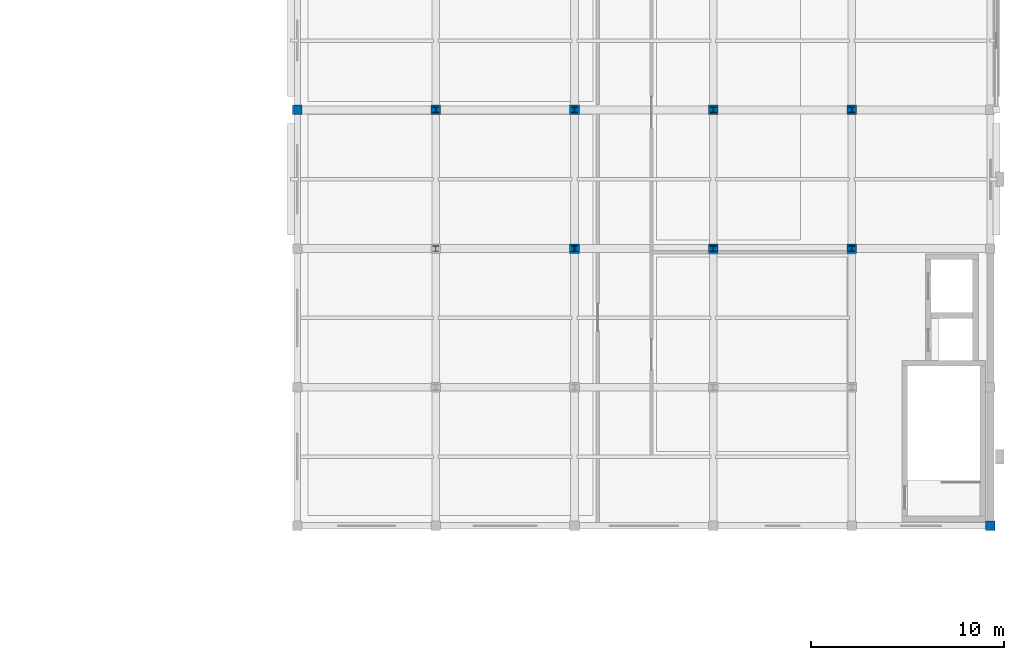
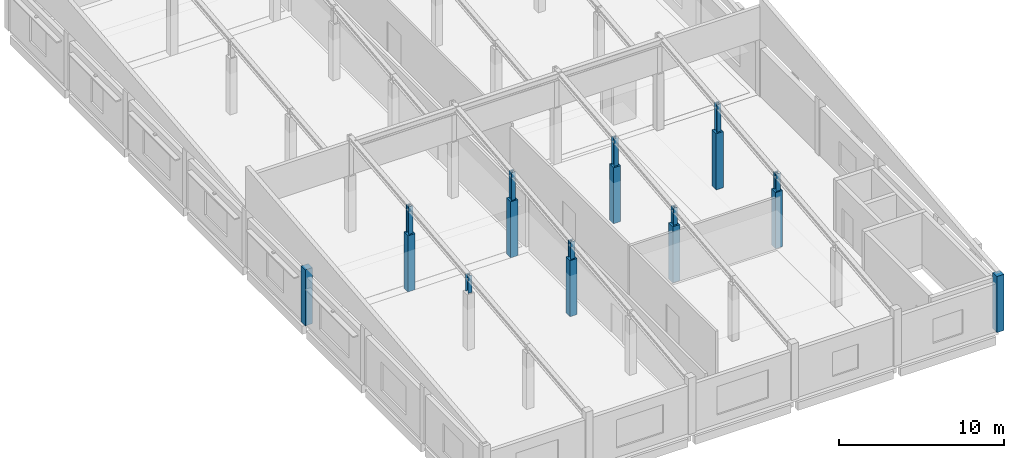
# One storey, part 2 of 33: 17 columns.
"""IFC4 building model written with IfcOpenShell, lengths in metres."""

from ifc_helpers import new_model, si_unit, direction, frame, origin, origin_2d, place, context, subcontext, project, spatial, rectangle, i_section, extrude, material, material_profile, profile_set, type_object, element, save


model = new_model("IFC4")

# Units and contexts
model_context = context("Model", 3, precision=1e-05, world=origin(), true_north=direction((0.0, 1.0)))
body_context = subcontext(model_context, "Body", "Model", "MODEL_VIEW")
ifc_project = project(units=[si_unit("LENGTHUNIT", "METRE"), si_unit("AREAUNIT", "SQUARE_METRE"), si_unit("VOLUMEUNIT", "CUBIC_METRE"), si_unit("PLANEANGLEUNIT", "RADIAN"), si_unit("MASSUNIT", "GRAM", prefix="KILO")], contexts=[model_context])

# Site, building, storey
site_placement = place(None, origin())
site = spatial("IfcSite", under=ifc_project, at=site_placement, CompositionType="ELEMENT")
building_placement = place(site_placement, origin())
building = spatial("IfcBuilding", under=site, at=building_placement, Name="Valkovuoma Quantum and Materials Research Institute", CompositionType="ELEMENT")
storey_placement = place(building_placement, frame((0.0, 0.0, 25.60009765625)))
storey = spatial("IfcBuildingStorey", under=building, at=storey_placement, Name="L06", CompositionType="ELEMENT", Elevation=25.60009765625)

# Columns
ifc_material_1 = material(Name="Concrete C40/50", Category="concrete")
ifc_material_profile_1 = material_profile(ifc_material_1, rectangle(XDim=0.5, YDim=0.5, at=origin_2d()), Name="Concrete C40/50")
ifc_profile_set_1 = profile_set([ifc_material_profile_1], Name="Concrete C40/50")
column_type_1 = type_object("IfcColumnType", Name="Col-C-RC500", PredefinedType="COLUMN", material=ifc_profile_set_1)
for number, where, z_axis, x_axis, name in (
    (1, (129.60009765625, 79.199951171875, 0.0), (0.0, 0.0, 1.0), (1.0, 0.0, 0.0), "L06 column 19M"),
    (2, (136.800048828125, 79.199951171875, 0.0), (0.0, 0.0, 1.0), (1.0, 0.0, 0.0), "L06 column 20M"),
    (3, (144.0, 72.0, 0.0), (0.0, 0.0, 1.0), (1.0, 0.0, 0.0), "L06 column 21L"),
    (4, (144.0, 79.199951171875, 0.0), (0.0, 0.0, 1.0), (1.0, 0.0, 0.0), "L06 column 21M"),
    (5, (151.199951171875, 72.0, 0.0), (0.0, 0.0, 1.0), (1.0, 0.0, 0.0), "L06 column 22L"),
    (6, (151.199951171875, 79.199951171875, 0.0), (0.0, 0.0, 1.0), (1.0, 0.0, 0.0), "L06 column 22M"),
    (7, (158.39990234375, 72.0, 0.0), (0.0, 0.0, 1.0), (1.0, 0.0, 0.0), "L06 column 23L"),
    (8, (158.39990234375, 79.199951171875, 0.0), (0.0, 0.0, 1.0), (1.0, 0.0, 0.0), "L06 column 23M"),
    (9, (165.60009765625, 57.60009765625, 0.0), (0.0, 0.0, 1.0), (1.0, 0.0, 0.0), "L06 column 24J"),
):
    element("IfcColumn", number, at=place(storey_placement, frame(where, z_axis=z_axis, x_axis=x_axis)), inside=storey, type_object=column_type_1, Name=name, PredefinedType="COLUMN", context=body_context, shape_type="SweptSolid", body=[
        extrude(rectangle(XDim=0.5, YDim=0.5, at=origin_2d()), origin(), (0.0, 0.0, 1.0), 4.159912109375),
    ])
ifc_material_2 = material(Name="Steel S355J2", Category="steel")
ifc_material_profile_2 = material_profile(ifc_material_2, i_section(OverallWidth=0.300048828125, OverallDepth=0.300048828125, WebThickness=0.010986328125, FlangeThickness=0.01904296875, FilletRadius=0.027099609375, at=origin_2d()), Name="Steel S355J2")
ifc_profile_set_2 = profile_set([ifc_material_profile_2], Name="Steel S355J2")
column_type_2 = type_object("IfcColumnType", Name="Col-C-STL300", PredefinedType="COLUMN", material=ifc_profile_set_2)
column_1_placement = place(storey_placement, frame((136.800048828125, 72.0, 4.159912109375), z_axis=(0.0, 0.0, 1.0), x_axis=(1.0, 0.0, 0.0)))
element("IfcColumn", 10, at=column_1_placement, inside=storey, type_object=column_type_2, Name="L06 wet-lab roof post 1.136.8.72.0", PredefinedType="COLUMN", context=body_context, shape_type="SweptSolid", body=[
    extrude(i_section(OverallWidth=0.300048828125, OverallDepth=0.300048828125, WebThickness=0.010986328125, FlangeThickness=0.01904296875, FilletRadius=0.027099609375, at=origin_2d()), origin(), (0.0, 0.0, 1.0), 1.280029296875),
])
column_2_placement = place(storey_placement, frame((136.800048828125, 79.199951171875, 4.159912109375), z_axis=(0.0, 0.0, 1.0), x_axis=(1.0, 0.0, 0.0)))
element("IfcColumn", 11, at=column_2_placement, inside=storey, type_object=column_type_2, Name="L06 wet-lab roof post 1.136.8.79.2", PredefinedType="COLUMN", context=body_context, shape_type="SweptSolid", body=[
    extrude(i_section(OverallWidth=0.300048828125, OverallDepth=0.300048828125, WebThickness=0.010986328125, FlangeThickness=0.01904296875, FilletRadius=0.027099609375, at=origin_2d()), origin(), (0.0, 0.0, 1.0), 2.06005859375),
])
column_3_placement = place(storey_placement, frame((144.0, 72.0, 4.159912109375), z_axis=(0.0, 0.0, 1.0), x_axis=(1.0, 0.0, 0.0)))
element("IfcColumn", 12, at=column_3_placement, inside=storey, type_object=column_type_2, Name="L06 wet-lab roof post 1.144.0.72.0", PredefinedType="COLUMN", context=body_context, shape_type="SweptSolid", body=[
    extrude(i_section(OverallWidth=0.300048828125, OverallDepth=0.300048828125, WebThickness=0.010986328125, FlangeThickness=0.01904296875, FilletRadius=0.027099609375, at=origin_2d()), origin(), (0.0, 0.0, 1.0), 1.280029296875),
])
column_4_placement = place(storey_placement, frame((144.0, 79.199951171875, 4.159912109375), z_axis=(0.0, 0.0, 1.0), x_axis=(1.0, 0.0, 0.0)))
element("IfcColumn", 13, at=column_4_placement, inside=storey, type_object=column_type_2, Name="L06 wet-lab roof post 1.144.0.79.2", PredefinedType="COLUMN", context=body_context, shape_type="SweptSolid", body=[
    extrude(i_section(OverallWidth=0.300048828125, OverallDepth=0.300048828125, WebThickness=0.010986328125, FlangeThickness=0.01904296875, FilletRadius=0.027099609375, at=origin_2d()), origin(), (0.0, 0.0, 1.0), 2.06005859375),
])
column_5_placement = place(storey_placement, frame((151.199951171875, 72.0, 4.159912109375), z_axis=(0.0, 0.0, 1.0), x_axis=(1.0, 0.0, 0.0)))
element("IfcColumn", 14, at=column_5_placement, inside=storey, type_object=column_type_2, Name="L06 wet-lab roof post 1.151.2.72.0", PredefinedType="COLUMN", context=body_context, shape_type="SweptSolid", body=[
    extrude(i_section(OverallWidth=0.300048828125, OverallDepth=0.300048828125, WebThickness=0.010986328125, FlangeThickness=0.01904296875, FilletRadius=0.027099609375, at=origin_2d()), origin(), (0.0, 0.0, 1.0), 1.280029296875),
])
column_6_placement = place(storey_placement, frame((151.199951171875, 79.199951171875, 4.159912109375), z_axis=(0.0, 0.0, 1.0), x_axis=(1.0, 0.0, 0.0)))
element("IfcColumn", 15, at=column_6_placement, inside=storey, type_object=column_type_2, Name="L06 wet-lab roof post 1.151.2.79.2", PredefinedType="COLUMN", context=body_context, shape_type="SweptSolid", body=[
    extrude(i_section(OverallWidth=0.300048828125, OverallDepth=0.300048828125, WebThickness=0.010986328125, FlangeThickness=0.01904296875, FilletRadius=0.027099609375, at=origin_2d()), origin(), (0.0, 0.0, 1.0), 2.06005859375),
])
column_7_placement = place(storey_placement, frame((158.39990234375, 72.0, 4.159912109375), z_axis=(0.0, 0.0, 1.0), x_axis=(1.0, 0.0, 0.0)))
element("IfcColumn", 16, at=column_7_placement, inside=storey, type_object=column_type_2, Name="L06 wet-lab roof post 1.158.4.72.0", PredefinedType="COLUMN", context=body_context, shape_type="SweptSolid", body=[
    extrude(i_section(OverallWidth=0.300048828125, OverallDepth=0.300048828125, WebThickness=0.010986328125, FlangeThickness=0.01904296875, FilletRadius=0.027099609375, at=origin_2d()), origin(), (0.0, 0.0, 1.0), 1.280029296875),
])
column_8_placement = place(storey_placement, frame((158.39990234375, 79.199951171875, 4.159912109375), z_axis=(0.0, 0.0, 1.0), x_axis=(1.0, 0.0, 0.0)))
element("IfcColumn", 17, at=column_8_placement, inside=storey, type_object=column_type_2, Name="L06 wet-lab roof post 1.158.4.79.2", PredefinedType="COLUMN", context=body_context, shape_type="SweptSolid", body=[
    extrude(i_section(OverallWidth=0.300048828125, OverallDepth=0.300048828125, WebThickness=0.010986328125, FlangeThickness=0.01904296875, FilletRadius=0.027099609375, at=origin_2d()), origin(), (0.0, 0.0, 1.0), 2.06005859375),
])

save(model, "model.ifc")
